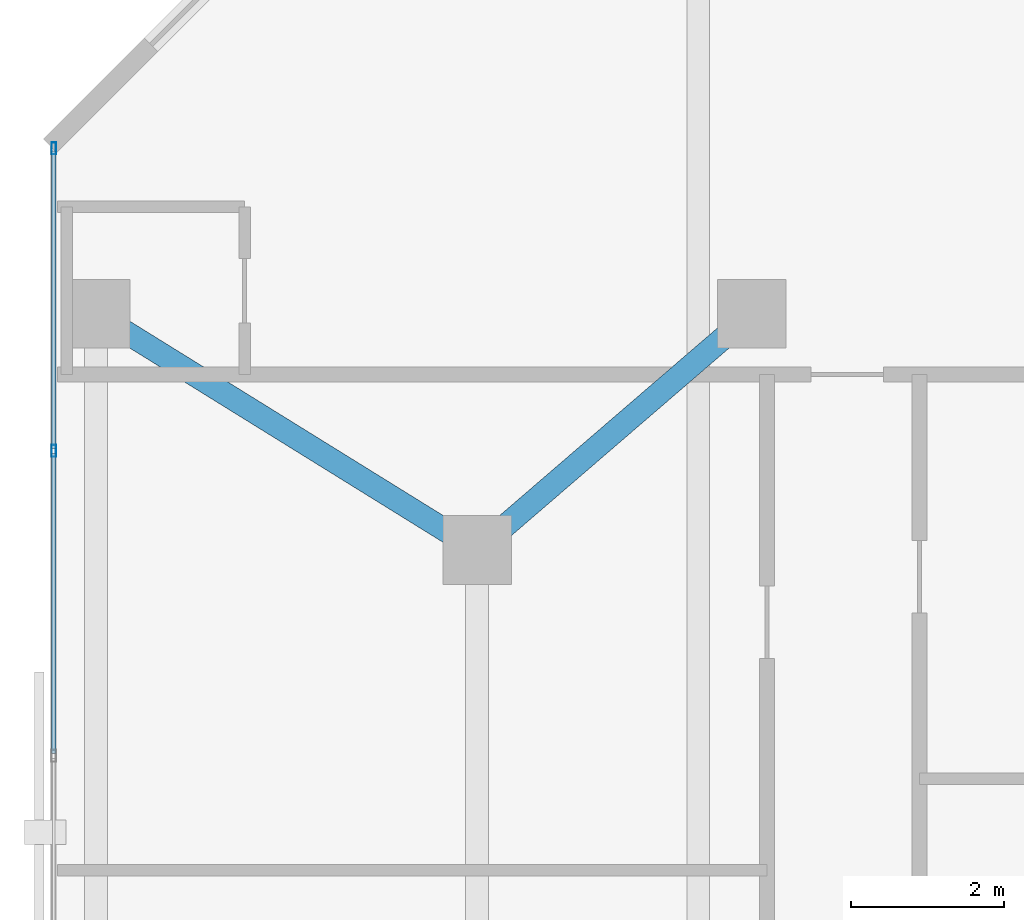
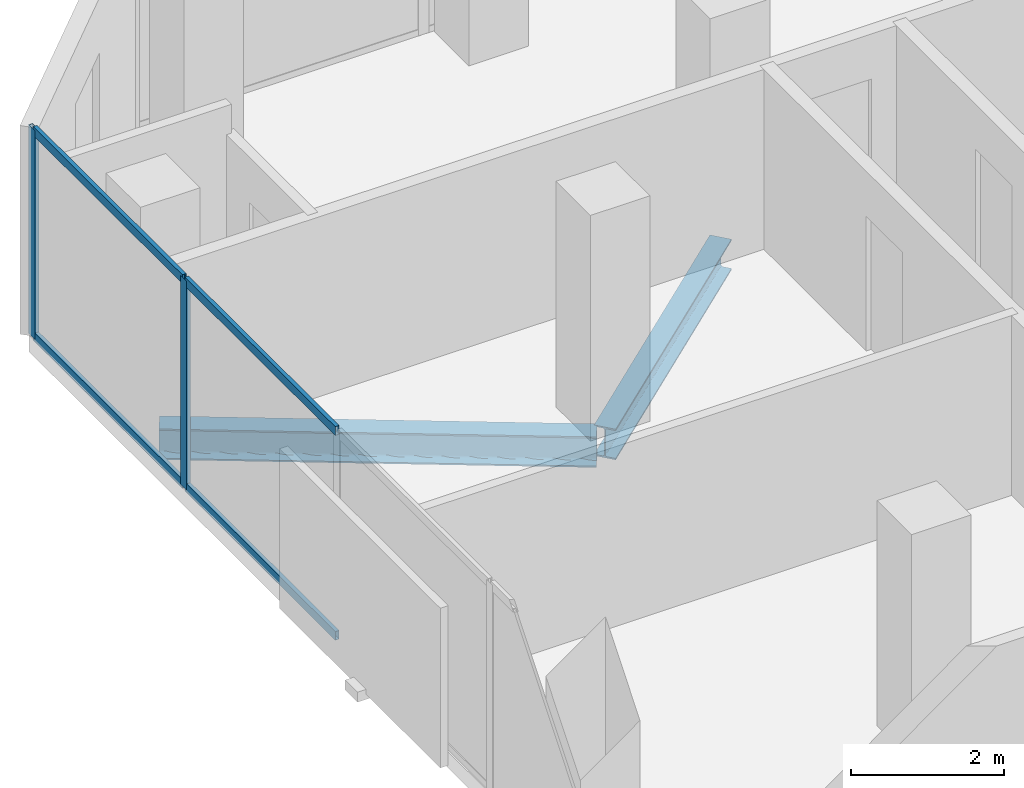
# One storey, part 17 of 33: 6 members, 2 beams, 1 element without a shape of its own.
"""IFC4 building model written with IfcOpenShell, lengths in metres."""

from ifc_helpers import new_model, si_unit, direction, frame, origin, origin_2d, place, context, subcontext, project, spatial, hollow_rectangle, i_section, extrude, material, layer, layer_set, material_profile, profile_set, type_object, element, aggregate, save


model = new_model("IFC4")

# Units and contexts
model_context = context("Model", 3, precision=1e-05, world=origin(), true_north=direction((0.0, 1.0)))
body_context = subcontext(model_context, "Body", "Model", "MODEL_VIEW")
ifc_project = project(units=[si_unit("LENGTHUNIT", "METRE"), si_unit("AREAUNIT", "SQUARE_METRE"), si_unit("VOLUMEUNIT", "CUBIC_METRE"), si_unit("PLANEANGLEUNIT", "RADIAN"), si_unit("MASSUNIT", "GRAM", prefix="KILO")], contexts=[model_context])

# Site, building, storey
site_placement = place(None, origin())
site = spatial("IfcSite", under=ifc_project, at=site_placement, CompositionType="ELEMENT")
building_placement = place(site_placement, origin())
building = spatial("IfcBuilding", under=site, at=building_placement, Name="Catumbela Crestline Tower", CompositionType="ELEMENT")
storey_placement = place(building_placement, frame((0.0, 0.0, 100.8)))
storey = spatial("IfcBuildingStorey", under=building, at=storey_placement, Name="L25", CompositionType="ELEMENT", Elevation=100.8)

# Beams
ifc_material_1 = material(Name="Structural steel S355J2", Category="steel")
ifc_material_profile_1 = material_profile(ifc_material_1, i_section(OverallWidth=0.3, OverallDepth=0.49, WebThickness=0.012, FlangeThickness=0.023, FilletRadius=0.027, at=origin_2d()), Name="HEA 500")
ifc_profile_set_1 = profile_set([ifc_material_profile_1], Name="Structural steel S355J2")
beam_type = type_object("IfcBeamType", Name="BG-HEA500", PredefinedType="BEAM", material=ifc_profile_set_1)
beam_1_placement = place(storey_placement, frame((0.668, 42.2578, -0.505), z_axis=(0.849908952007, -0.526929571479, 0.0), x_axis=(0.526929571479, 0.849908952007, 0.0)))
element("IfcBeam", 1, at=beam_1_placement, inside=storey, type_object=beam_type, Name="L25 Beam BM-L25-N12", PredefinedType="BEAM", context=body_context, shape_type="SweptSolid", body=[
    extrude(i_section(OverallWidth=0.3, OverallDepth=0.49, WebThickness=0.012, FlangeThickness=0.023, FilletRadius=0.027, at=origin_2d()), origin(), (0.0, 0.0, 1.0), 5.723),
])
beam_2_placement = place(storey_placement, frame((5.6606, 39.2522, -0.505), z_axis=(0.757772392559, 0.652518966066, 0.0), x_axis=(-0.652518966066, 0.757772392559, 0.0)))
element("IfcBeam", 2, at=beam_2_placement, inside=storey, type_object=beam_type, Name="L25 Beam BM-L25-N13", PredefinedType="BEAM", context=body_context, shape_type="SweptSolid", body=[
    extrude(i_section(OverallWidth=0.3, OverallDepth=0.49, WebThickness=0.012, FlangeThickness=0.023, FilletRadius=0.027, at=origin_2d()), origin(), (0.0, 0.0, 1.0), 4.5908),
])

# Curtain wall, members
ifc_material_2 = material(Name="Aluminium alloy AW-6060-T66", Category="aluminium")
ifc_layer = layer(ifc_material_2, 0.18, Name="Aluminium alloy AW-6060-T66")
ifc_layer_set = layer_set([ifc_layer], Name="Aluminium alloy AW-6060-T66")
curtain_wall_type = type_object("IfcCurtainWallType", Name="CWU-Z2", PredefinedType="USERDEFINED", material=ifc_layer_set)
curtain_wall_placement = place(storey_placement, origin())
curtain_wall = element("IfcCurtainWall", 3, at=curtain_wall_placement, inside=storey, type_object=curtain_wall_type, Name="L25 Unitised Curtain Wall CW-L25-E9S1", ObjectType="UNITISED", PredefinedType="USERDEFINED")
ifc_material_profile_2 = material_profile(ifc_material_2, hollow_rectangle(XDim=0.06, YDim=0.16, WallThickness=0.004, at=origin_2d()), Name="ALU 160x60x4")
ifc_profile_set_2 = profile_set([ifc_material_profile_2], Name="Aluminium alloy AW-6060-T66")
member_type_1 = type_object("IfcMemberType", Name="MUL-160X60", PredefinedType="MULLION", material=ifc_profile_set_2)
member_1_placement = place(storey_placement, frame((0.05, 44.4675, 0.0), z_axis=(0.0, 0.0, 1.0), x_axis=(1.0, 0.0, 0.0)))
member_1 = element("IfcMember", 4, at=member_1_placement, type_object=member_type_1, Name="CWU-Z2 mullion 1", PredefinedType="MULLION", context=body_context, shape_type="SweptSolid", body=[
    extrude(hollow_rectangle(XDim=0.06, YDim=0.16, WallThickness=0.004, at=origin_2d()), origin(), (0.0, 0.0, 1.0), 3.33),
])
member_2_placement = place(storey_placement, frame((0.05, 40.5, 0.0), z_axis=(0.0, 0.0, 1.0), x_axis=(1.0, 0.0, 0.0)))
member_2 = element("IfcMember", 5, at=member_2_placement, type_object=member_type_1, Name="CWU-Z2 mullion 2", PredefinedType="MULLION", context=body_context, shape_type="SweptSolid", body=[
    extrude(hollow_rectangle(XDim=0.06, YDim=0.16, WallThickness=0.004, at=origin_2d()), origin(), (0.0, 0.0, 1.0), 3.33),
])
ifc_material_profile_3 = material_profile(ifc_material_2, hollow_rectangle(XDim=0.06, YDim=0.14, WallThickness=0.004, at=origin_2d()), Name="ALU 140x60x4")
ifc_profile_set_3 = profile_set([ifc_material_profile_3], Name="Aluminium alloy AW-6060-T66")
member_type_2 = type_object("IfcMemberType", Name="TRN-140X60", PredefinedType="USERDEFINED", material=ifc_profile_set_3)
member_3_placement = place(storey_placement, frame((0.05, 44.435, 0.03), z_axis=(0.0, -1.0, 0.0), x_axis=(1.0, 0.0, 0.0)))
member_3 = element("IfcMember", 6, at=member_3_placement, type_object=member_type_2, Name="CWU-Z2 transom 1.1", ObjectType="TRANSOM", PredefinedType="USERDEFINED", context=body_context, shape_type="SweptSolid", body=[
    extrude(hollow_rectangle(XDim=0.06, YDim=0.14, WallThickness=0.004, at=origin_2d()), origin(), (0.0, 0.0, 1.0), 3.9025),
])
member_4_placement = place(storey_placement, frame((0.05, 44.435, 3.3), z_axis=(0.0, -1.0, 0.0), x_axis=(1.0, 0.0, 0.0)))
member_4 = element("IfcMember", 7, at=member_4_placement, type_object=member_type_2, Name="CWU-Z2 transom 1.2", ObjectType="TRANSOM", PredefinedType="USERDEFINED", context=body_context, shape_type="SweptSolid", body=[
    extrude(hollow_rectangle(XDim=0.06, YDim=0.14, WallThickness=0.004, at=origin_2d()), origin(), (0.0, 0.0, 1.0), 3.9025),
])
member_5_placement = place(storey_placement, frame((0.05, 40.4675, 0.03), z_axis=(0.0, -1.0, 0.0), x_axis=(1.0, 0.0, 0.0)))
member_5 = element("IfcMember", 8, at=member_5_placement, type_object=member_type_2, Name="CWU-Z2 transom 2.1", ObjectType="TRANSOM", PredefinedType="USERDEFINED", context=body_context, shape_type="SweptSolid", body=[
    extrude(hollow_rectangle(XDim=0.06, YDim=0.14, WallThickness=0.004, at=origin_2d()), origin(), (0.0, 0.0, 1.0), 3.935),
])
member_6_placement = place(storey_placement, frame((0.05, 40.4675, 3.3), z_axis=(0.0, -1.0, 0.0), x_axis=(1.0, 0.0, 0.0)))
member_6 = element("IfcMember", 9, at=member_6_placement, type_object=member_type_2, Name="CWU-Z2 transom 2.2", ObjectType="TRANSOM", PredefinedType="USERDEFINED", context=body_context, shape_type="SweptSolid", body=[
    extrude(hollow_rectangle(XDim=0.06, YDim=0.14, WallThickness=0.004, at=origin_2d()), origin(), (0.0, 0.0, 1.0), 3.935),
])
aggregate(curtain_wall, [member_1, member_2, member_3, member_4, member_5, member_6])

save(model, "model.ifc")
